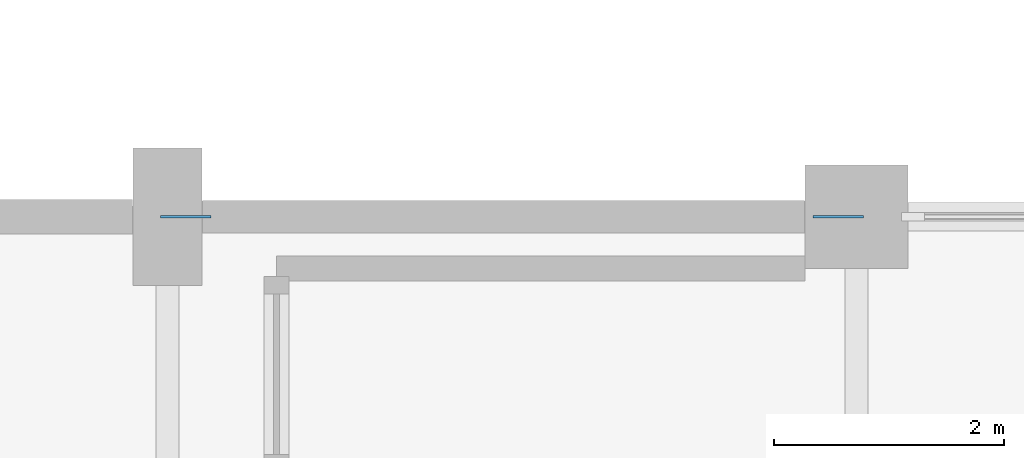
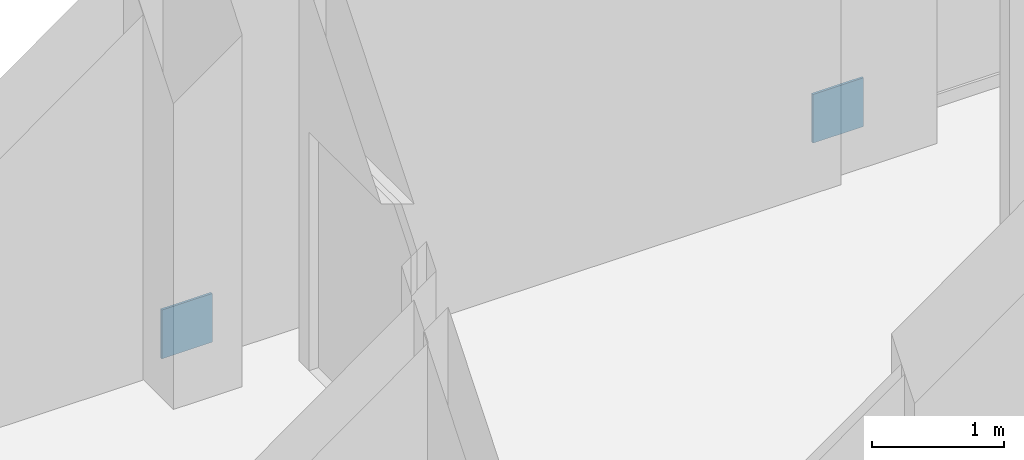
# One storey, part 59 of 76: 2 discrete accessories.
"""IFC4 building model written with IfcOpenShell, lengths in metres."""

from ifc_helpers import new_model, si_unit, direction, frame, origin, origin_2d, place, context, subcontext, project, spatial, rectangle, extrude, material, layer, layer_set, type_object, element, save


model = new_model("IFC4")

# Units and contexts
model_context = context("Model", 3, precision=1e-05, world=origin(), true_north=direction((0.0, 1.0)))
body_context = subcontext(model_context, "Body", "Model", "MODEL_VIEW")
ifc_project = project(units=[si_unit("LENGTHUNIT", "METRE"), si_unit("AREAUNIT", "SQUARE_METRE"), si_unit("VOLUMEUNIT", "CUBIC_METRE"), si_unit("PLANEANGLEUNIT", "RADIAN"), si_unit("MASSUNIT", "GRAM", prefix="KILO")], contexts=[model_context])

# Site, building, storey
site_placement = place(None, origin())
site = spatial("IfcSite", under=ifc_project, at=site_placement, CompositionType="ELEMENT")
building_placement = place(site_placement, origin())
building = spatial("IfcBuilding", under=site, at=building_placement, Name="Varnakota Square Police Headquarters", CompositionType="ELEMENT")
storey_placement = place(building_placement, origin())
storey = spatial("IfcBuildingStorey", under=building, at=storey_placement, Name="L00", CompositionType="ELEMENT", Elevation=0.0)

# Discrete accessories
ifc_material = material(Name="Steel IS 2062 Grade 350", Category="steel")
ifc_layer = layer(ifc_material, 0.64990234375, Name="Steel IS 2062 Grade 350")
ifc_layer_set = layer_set([ifc_layer], Name="Steel IS 2062 Grade 350")
discrete_accessory_type = type_object("IfcDiscreteAccessoryType", Name="ACC-EMB-350", PredefinedType="BRACKET", material=ifc_layer_set)
for number, where, z_axis, x_axis, name in (
    (1, (126.159912109375, 15.0, 0.02490234375), (0.0, 0.0, 1.0), (1.0, 0.0, 0.0), "Brace gusset connection plate BF1 L00 L"),
    (2, (131.840087890625, 15.0, 0.02490234375), (0.0, 0.0, 1.0), (1.0, 0.0, 0.0), "Brace gusset connection plate BF1 L00 R"),
):
    element("IfcDiscreteAccessory", number, at=place(storey_placement, frame(where, z_axis=z_axis, x_axis=x_axis)), inside=storey, type_object=discrete_accessory_type, Name=name, PredefinedType="BRACKET", context=body_context, shape_type="SweptSolid", body=[
        extrude(rectangle(XDim=0.43994140625, YDim=0.02001953125, at=origin_2d()), origin(), (0.0, 0.0, 1.0), 0.449951171875),
    ])

save(model, "model.ifc")
